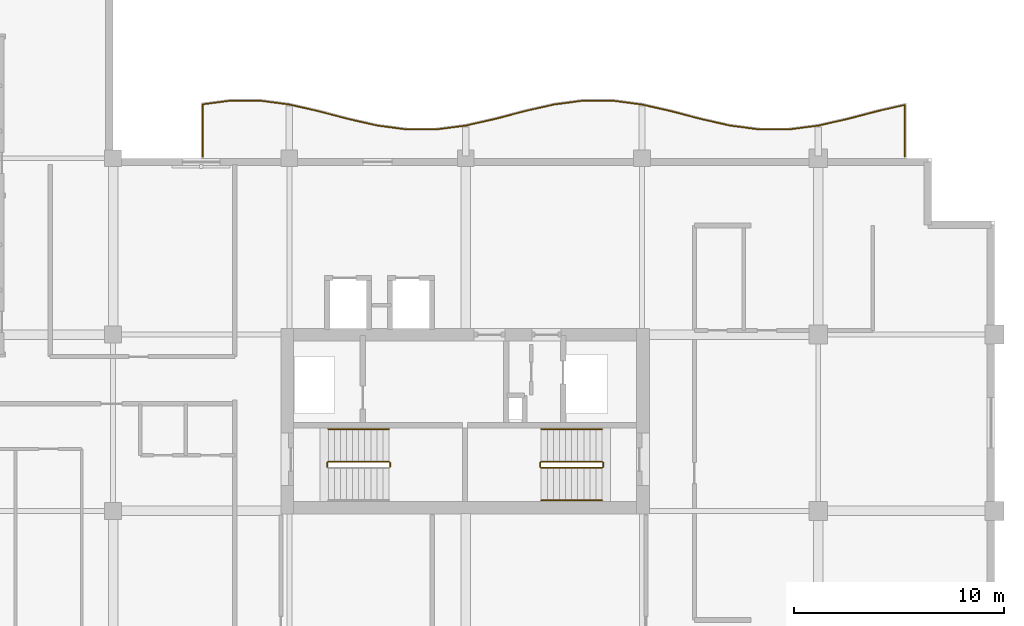
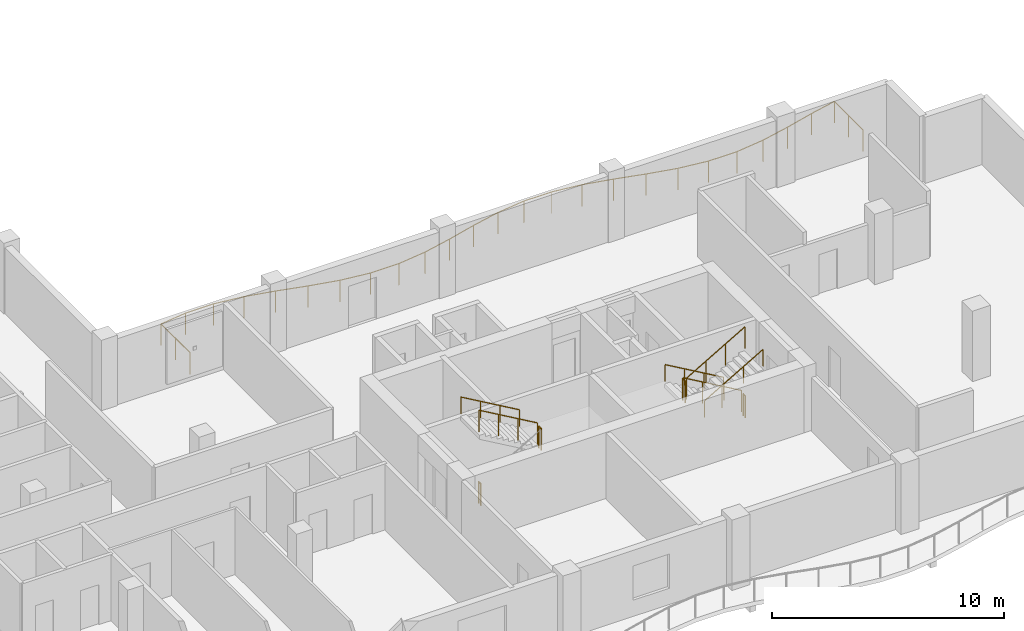
# One storey, part 11 of 12: 11 railings.
"""IFC4 building model written with IfcOpenShell, lengths in metres."""

from ifc_helpers import new_model, si_unit, direction, frame, origin, origin_2d, place, context, subcontext, project, spatial, circle, extrude, material, type_object, element, save


model = new_model("IFC4")

# Units and contexts
model_context = context("Model", 3, precision=1e-05, world=origin(), true_north=direction((0.0, 1.0)))
body_context = subcontext(model_context, "Body", "Model", "MODEL_VIEW")
ifc_project = project(units=[si_unit("LENGTHUNIT", "METRE"), si_unit("AREAUNIT", "SQUARE_METRE"), si_unit("VOLUMEUNIT", "CUBIC_METRE"), si_unit("PLANEANGLEUNIT", "RADIAN"), si_unit("MASSUNIT", "GRAM", prefix="KILO")], contexts=[model_context])

# Site, building, storey
site_placement = place(None, origin())
site = spatial("IfcSite", under=ifc_project, at=site_placement, CompositionType="ELEMENT")
building_placement = place(site_placement, origin())
building = spatial("IfcBuilding", under=site, at=building_placement, Name="Koriwani Terraces Tower", CompositionType="ELEMENT")
storey_placement = place(building_placement, frame((0.0, 0.0, 256.39990234375)))
storey = spatial("IfcBuildingStorey", under=building, at=storey_placement, Name="L63", CompositionType="ELEMENT", Elevation=256.39990234375)

# Railings
ifc_material = material(Name="Steel ASTM A572 Grade 50", Category="steel")
railing_type_1 = type_object("IfcRailingType", Name="GUARD_BALUSTRADE_1150", PredefinedType="BALUSTRADE", material=ifc_material)
railing_1_placement = place(storey_placement, frame((71.320068359375, 33.679931640625, 0.0)))
element("IfcRailing", 1, at=railing_1_placement, inside=storey, type_object=railing_type_1, Name="L63 Balcony Perimeter Safety Balustrade (NE)", PredefinedType="BALUSTRADE", context=body_context, shape_type="SweptSolid", body=[
    extrude(circle(Radius=0.02392578125, at=origin_2d()), frame((0.0, 0.0, 1.1259765625), z_axis=(0.0, 1.0, 0.0), x_axis=(-1.0, 0.0, 0.0)), (0.0, 0.0, 1.0), 2.4619140625),
    extrude(circle(Radius=0.02392578125, at=origin_2d()), frame((0.0, 2.4619140625, 1.1259765625), z_axis=(-0.97513824805, -0.221597376316, 0.0), x_axis=(0.221597376316, -0.97513824805, 0.0)), (0.0, 0.0, 1.0), 1.334228515625),
    extrude(circle(Radius=0.02392578125, at=origin_2d()), frame((-1.301025390625, 2.166259765625, 1.1259765625), z_axis=(-0.967207664387, -0.253986877518, 0.0), x_axis=(0.253986877518, -0.967207664387, 0.0)), (0.0, 0.0, 1.0), 1.447509765625),
    extrude(circle(Radius=0.02392578125, at=origin_2d()), frame((-2.701171875, 1.798583984375, 1.1259765625), z_axis=(-0.975122866469, -0.221665052023, 0.0), x_axis=(0.221665052023, -0.975122866469, 0.0)), (0.0, 0.0, 1.0), 1.440673828125),
    extrude(circle(Radius=0.02392578125, at=origin_2d()), frame((-4.10595703125, 1.479248046875, 1.1259765625), z_axis=(-0.991528403605, -0.12989004906, 0.0), x_axis=(0.12989004906, -0.991528403605, 0.0)), (0.0, 0.0, 1.0), 1.4208984375),
    extrude(circle(Radius=0.02392578125, at=origin_2d()), frame((-5.514892578125, 1.294677734375, 1.1259765625), z_axis=(-1.0, 0.0, 0.0), x_axis=(0.0, -1.0, 0.0)), (0.0, 0.0, 1.0), 1.410400390625),
    extrude(circle(Radius=0.02392578125, at=origin_2d()), frame((-6.92529296875, 1.294677734375, 1.1259765625), z_axis=(-0.991528403605, 0.12989004906, 0.0), x_axis=(-0.12989004906, -0.991528403605, 0.0)), (0.0, 0.0, 1.0), 1.4208984375),
    extrude(circle(Radius=0.02392578125, at=origin_2d()), frame((-8.334228515625, 1.479248046875, 1.1259765625), z_axis=(-0.975122866469, 0.221665052023, 0.0), x_axis=(-0.221665052023, -0.975122866469, 0.0)), (0.0, 0.0, 1.0), 1.440673828125),
    extrude(circle(Radius=0.02392578125, at=origin_2d()), frame((-9.739013671875, 1.798583984375, 1.1259765625), z_axis=(-0.967207664387, 0.253986877518, 0.0), x_axis=(-0.253986877518, -0.967207664387, 0.0)), (0.0, 0.0, 1.0), 1.447509765625),
    extrude(circle(Radius=0.02392578125, at=origin_2d()), frame((-11.13916015625, 2.166259765625, 1.1259765625), z_axis=(-0.975156320387, 0.221517834068, 0.0), x_axis=(-0.221517834068, -0.975156320387, 0.0)), (0.0, 0.0, 1.0), 1.4306640625),
    extrude(circle(Radius=0.02392578125, at=origin_2d()), frame((-12.5341796875, 2.483154296875, 1.1259765625), z_axis=(-0.991493340479, 0.130157426935, 0.0), x_axis=(-0.130157426935, -0.991493340479, 0.0)), (0.0, 0.0, 1.0), 1.403076171875),
    extrude(circle(Radius=0.02392578125, at=origin_2d()), frame((-13.92529296875, 2.665771484375, 1.1259765625), z_axis=(-1.0, 0.0, 0.0), x_axis=(0.0, -1.0, 0.0)), (0.0, 0.0, 1.0), 1.3896484375),
    extrude(circle(Radius=0.02392578125, at=origin_2d()), frame((-15.31494140625, 2.665771484375, 1.1259765625), z_axis=(-0.991493340479, -0.130157426935, 0.0), x_axis=(0.130157426935, -0.991493340479, 0.0)), (0.0, 0.0, 1.0), 1.403076171875),
    extrude(circle(Radius=0.02392578125, at=origin_2d()), frame((-16.7060546875, 2.483154296875, 1.1259765625), z_axis=(-0.975156320387, -0.221517834068, 0.0), x_axis=(0.221517834068, -0.975156320387, 0.0)), (0.0, 0.0, 1.0), 1.4306640625),
    extrude(circle(Radius=0.02392578125, at=origin_2d()), frame((-18.10107421875, 2.166259765625, 1.1259765625), z_axis=(-0.967196782226, -0.254028314271, 0.0), x_axis=(0.254028314271, -0.967196782226, 0.0)), (0.0, 0.0, 1.0), 1.447265625),
    extrude(circle(Radius=0.02392578125, at=origin_2d()), frame((-19.5009765625, 1.798583984375, 1.1259765625), z_axis=(-0.975131191317, -0.221628427149, 0.0), x_axis=(0.221628427149, -0.975131191317, 0.0)), (0.0, 0.0, 1.0), 1.44091796875),
    extrude(circle(Radius=0.02392578125, at=origin_2d()), frame((-20.906005859375, 1.479248046875, 1.1259765625), z_axis=(-0.991528403605, -0.12989004906, 0.0), x_axis=(0.12989004906, -0.991528403605, 0.0)), (0.0, 0.0, 1.0), 1.4208984375),
    extrude(circle(Radius=0.02392578125, at=origin_2d()), frame((-22.31494140625, 1.294677734375, 1.1259765625), z_axis=(-1.0, 0.0, 0.0), x_axis=(0.0, -1.0, 0.0)), (0.0, 0.0, 1.0), 1.410400390625),
    extrude(circle(Radius=0.02392578125, at=origin_2d()), frame((-23.725341796875, 1.294677734375, 1.1259765625), z_axis=(-0.991528403605, 0.12989004906, 0.0), x_axis=(-0.12989004906, -0.991528403605, 0.0)), (0.0, 0.0, 1.0), 1.4208984375),
    extrude(circle(Radius=0.02392578125, at=origin_2d()), frame((-25.13427734375, 1.479248046875, 1.1259765625), z_axis=(-0.975122866469, 0.221665052023, 0.0), x_axis=(-0.221665052023, -0.975122866469, 0.0)), (0.0, 0.0, 1.0), 1.440673828125),
    extrude(circle(Radius=0.02392578125, at=origin_2d()), frame((-26.5390625, 1.798583984375, 1.1259765625), z_axis=(-0.967196782226, 0.254028314271, 0.0), x_axis=(-0.254028314271, -0.967196782226, 0.0)), (0.0, 0.0, 1.0), 1.447265625),
    extrude(circle(Radius=0.02392578125, at=origin_2d()), frame((-27.93896484375, 2.166259765625, 1.1259765625), z_axis=(-0.975164692652, 0.221480974814, 0.0), x_axis=(-0.221480974814, -0.975164692652, 0.0)), (0.0, 0.0, 1.0), 1.430908203125),
    extrude(circle(Radius=0.02392578125, at=origin_2d()), frame((-29.334228515625, 2.483154296875, 1.1259765625), z_axis=(-0.991493340479, 0.130157426935, 0.0), x_axis=(-0.130157426935, -0.991493340479, 0.0)), (0.0, 0.0, 1.0), 1.403076171875),
    extrude(circle(Radius=0.02392578125, at=origin_2d()), frame((-30.725341796875, 2.665771484375, 1.1259765625), z_axis=(-1.0, 0.0, 0.0), x_axis=(0.0, -1.0, 0.0)), (0.0, 0.0, 1.0), 1.3896484375),
    extrude(circle(Radius=0.02392578125, at=origin_2d()), frame((-32.114990234375, 2.665771484375, 1.1259765625), z_axis=(-0.991506441664, -0.130057587779, 0.0), x_axis=(0.130057587779, -0.991506441664, 0.0)), (0.0, 0.0, 1.0), 1.33642578125),
    extrude(circle(Radius=0.02392578125, at=origin_2d()), frame((-33.440185546875, 2.491943359375, 1.1259765625), z_axis=(0.0, -1.0, 0.0), x_axis=(1.0, 0.0, 0.0)), (0.0, 0.0, 1.0), 2.491943359375),
    extrude(circle(Radius=0.02099609375, at=origin_2d()), origin(), (0.0, 0.0, 1.0), 1.101806640625),
    extrude(circle(Radius=0.02099609375, at=origin_2d()), frame((0.0, 1.23095703125, 0.0)), (0.0, 0.0, 1.0), 1.101806640625),
    extrude(circle(Radius=0.02099609375, at=origin_2d()), frame((0.0, 2.4619140625, 0.0)), (0.0, 0.0, 1.0), 1.101806640625),
    extrude(circle(Radius=0.02099609375, at=origin_2d()), frame((-1.301025390625, 2.166259765625, 0.0)), (0.0, 0.0, 1.0), 1.101806640625),
    extrude(circle(Radius=0.02099609375, at=origin_2d()), frame((-2.701171875, 1.798583984375, 0.0)), (0.0, 0.0, 1.0), 1.101806640625),
    extrude(circle(Radius=0.02099609375, at=origin_2d()), frame((-4.10595703125, 1.479248046875, 0.0)), (0.0, 0.0, 1.0), 1.101806640625),
    extrude(circle(Radius=0.02099609375, at=origin_2d()), frame((-5.514892578125, 1.294677734375, 0.0)), (0.0, 0.0, 1.0), 1.101806640625),
    extrude(circle(Radius=0.02099609375, at=origin_2d()), frame((-6.92529296875, 1.294677734375, 0.0)), (0.0, 0.0, 1.0), 1.101806640625),
    extrude(circle(Radius=0.02099609375, at=origin_2d()), frame((-8.334228515625, 1.479248046875, 0.0)), (0.0, 0.0, 1.0), 1.101806640625),
    extrude(circle(Radius=0.02099609375, at=origin_2d()), frame((-9.739013671875, 1.798583984375, 0.0)), (0.0, 0.0, 1.0), 1.101806640625),
    extrude(circle(Radius=0.02099609375, at=origin_2d()), frame((-11.13916015625, 2.166259765625, 0.0)), (0.0, 0.0, 1.0), 1.101806640625),
    extrude(circle(Radius=0.02099609375, at=origin_2d()), frame((-12.5341796875, 2.483154296875, 0.0)), (0.0, 0.0, 1.0), 1.101806640625),
    extrude(circle(Radius=0.02099609375, at=origin_2d()), frame((-13.92529296875, 2.665771484375, 0.0)), (0.0, 0.0, 1.0), 1.101806640625),
    extrude(circle(Radius=0.02099609375, at=origin_2d()), frame((-15.31494140625, 2.665771484375, 0.0)), (0.0, 0.0, 1.0), 1.101806640625),
    extrude(circle(Radius=0.02099609375, at=origin_2d()), frame((-16.7060546875, 2.483154296875, 0.0)), (0.0, 0.0, 1.0), 1.101806640625),
    extrude(circle(Radius=0.02099609375, at=origin_2d()), frame((-18.10107421875, 2.166259765625, 0.0)), (0.0, 0.0, 1.0), 1.101806640625),
    extrude(circle(Radius=0.02099609375, at=origin_2d()), frame((-19.5009765625, 1.798583984375, 0.0)), (0.0, 0.0, 1.0), 1.101806640625),
    extrude(circle(Radius=0.02099609375, at=origin_2d()), frame((-20.906005859375, 1.479248046875, 0.0)), (0.0, 0.0, 1.0), 1.101806640625),
    extrude(circle(Radius=0.02099609375, at=origin_2d()), frame((-22.31494140625, 1.294677734375, 0.0)), (0.0, 0.0, 1.0), 1.101806640625),
    extrude(circle(Radius=0.02099609375, at=origin_2d()), frame((-23.725341796875, 1.294677734375, 0.0)), (0.0, 0.0, 1.0), 1.101806640625),
    extrude(circle(Radius=0.02099609375, at=origin_2d()), frame((-25.13427734375, 1.479248046875, 0.0)), (0.0, 0.0, 1.0), 1.101806640625),
    extrude(circle(Radius=0.02099609375, at=origin_2d()), frame((-26.5390625, 1.798583984375, 0.0)), (0.0, 0.0, 1.0), 1.101806640625),
    extrude(circle(Radius=0.02099609375, at=origin_2d()), frame((-27.93896484375, 2.166259765625, 0.0)), (0.0, 0.0, 1.0), 1.101806640625),
    extrude(circle(Radius=0.02099609375, at=origin_2d()), frame((-29.334228515625, 2.483154296875, 0.0)), (0.0, 0.0, 1.0), 1.101806640625),
    extrude(circle(Radius=0.02099609375, at=origin_2d()), frame((-30.725341796875, 2.665771484375, 0.0)), (0.0, 0.0, 1.0), 1.101806640625),
    extrude(circle(Radius=0.02099609375, at=origin_2d()), frame((-32.114990234375, 2.665771484375, 0.0)), (0.0, 0.0, 1.0), 1.101806640625),
    extrude(circle(Radius=0.02099609375, at=origin_2d()), frame((-33.440185546875, 2.491943359375, 0.0)), (0.0, 0.0, 1.0), 1.101806640625),
    extrude(circle(Radius=0.02099609375, at=origin_2d()), frame((-33.440185546875, 1.24609375, 0.0)), (0.0, 0.0, 1.0), 1.101806640625),
    extrude(circle(Radius=0.02099609375, at=origin_2d()), frame((-33.440185546875, 0.0, 0.0)), (0.0, 0.0, 1.0), 1.101806640625),
])
railing_type_2 = type_object("IfcRailingType", Name="GUARD_STAIR_WELL_1120", PredefinedType="GUARDRAIL", material=ifc_material)
railing_2_placement = place(storey_placement, frame((46.800048828125, 18.89990234375, 1.85009765625)))
element("IfcRailing", 2, at=railing_2_placement, inside=storey, type_object=railing_type_2, Name="L63 ST-E1 stair guard 2", PredefinedType="GUARDRAIL", context=body_context, shape_type="SweptSolid", body=[
    extrude(circle(Radius=0.02392578125, at=origin_2d()), frame((0.0, 0.0, 1.1259765625), z_axis=(0.0, 1.0, 0.0), x_axis=(-1.0, 0.0, 0.0)), (0.0, 0.0, 1.0), 0.2001953125),
    extrude(circle(Radius=0.02099609375, at=origin_2d()), origin(), (0.0, 0.0, 1.0), 1.101806640625),
    extrude(circle(Radius=0.02099609375, at=origin_2d()), frame((0.0, 0.2001953125, 0.0)), (0.0, 0.0, 1.0), 1.101806640625),
])
railing_3_placement = place(storey_placement, frame((46.75, 19.14990234375, 2.018310546875)))
element("IfcRailing", 3, at=railing_3_placement, inside=storey, type_object=railing_type_2, Name="L63 ST-E1 stair guard 3", PredefinedType="GUARDRAIL", context=body_context, shape_type="SweptSolid", body=[
    extrude(circle(Radius=0.02392578125, at=origin_2d()), frame((0.0, 0.0, 1.1259765625), z_axis=(-0.865038774852, 0.0, 0.501705010941), x_axis=(0.0, -1.0, 0.0)), (0.0, 0.0, 1.0), 3.352294921875),
    extrude(circle(Radius=0.02099609375, at=origin_2d()), origin(), (0.0, 0.0, 1.0), 1.101806640625),
    extrude(circle(Radius=0.02099609375, at=origin_2d()), frame((-0.966552734375, 0.0, 0.560546875)), (0.0, 0.0, 1.0), 1.101806640625),
    extrude(circle(Radius=0.02099609375, at=origin_2d()), frame((-1.933349609375, 0.0, 1.121337890625)), (0.0, 0.0, 1.0), 1.101806640625),
    extrude(circle(Radius=0.02099609375, at=origin_2d()), frame((-2.89990234375, 0.0, 1.681884765625)), (0.0, 0.0, 1.0), 1.101806640625),
])
railing_4_placement = place(storey_placement, frame((43.800048828125, 18.89990234375, 0.0)))
element("IfcRailing", 4, at=railing_4_placement, inside=storey, type_object=railing_type_2, Name="L63 ST-E1 stair guard 4", PredefinedType="GUARDRAIL", context=body_context, shape_type="SweptSolid", body=[
    extrude(circle(Radius=0.02392578125, at=origin_2d()), frame((0.0, 0.0, 1.1259765625), z_axis=(0.0, 1.0, 0.0), x_axis=(-1.0, 0.0, 0.0)), (0.0, 0.0, 1.0), 0.2001953125),
    extrude(circle(Radius=0.02099609375, at=origin_2d()), origin(), (0.0, 0.0, 1.0), 1.101806640625),
    extrude(circle(Radius=0.02099609375, at=origin_2d()), frame((0.0, 0.2001953125, 0.0)), (0.0, 0.0, 1.0), 1.101806640625),
])
railing_5_placement = place(storey_placement, frame((56.89990234375, 19.14990234375, 0.168212890625)))
element("IfcRailing", 5, at=railing_5_placement, inside=storey, type_object=railing_type_2, Name="L63 ST-E2 stair guard 1", PredefinedType="GUARDRAIL", context=body_context, shape_type="SweptSolid", body=[
    extrude(circle(Radius=0.02392578125, at=origin_2d()), frame((0.0, 0.0, 1.1259765625), z_axis=(-0.865038774852, 0.0, 0.501705010941), x_axis=(0.0, -1.0, 0.0)), (0.0, 0.0, 1.0), 3.352294921875),
    extrude(circle(Radius=0.02099609375, at=origin_2d()), origin(), (0.0, 0.0, 1.0), 1.101806640625),
    extrude(circle(Radius=0.02099609375, at=origin_2d()), frame((-0.966552734375, 0.0, 0.560546875)), (0.0, 0.0, 1.0), 1.101806640625),
    extrude(circle(Radius=0.02099609375, at=origin_2d()), frame((-1.933349609375, 0.0, 1.121337890625)), (0.0, 0.0, 1.0), 1.101806640625),
    extrude(circle(Radius=0.02099609375, at=origin_2d()), frame((-2.89990234375, 0.0, 1.681884765625)), (0.0, 0.0, 1.0), 1.101806640625),
])
railing_6_placement = place(storey_placement, frame((53.949951171875, 19.10009765625, 1.85009765625)))
element("IfcRailing", 6, at=railing_6_placement, inside=storey, type_object=railing_type_2, Name="L63 ST-E2 stair guard 2", PredefinedType="GUARDRAIL", context=body_context, shape_type="SweptSolid", body=[
    extrude(circle(Radius=0.02392578125, at=origin_2d()), frame((0.0, 0.0, 1.1259765625), z_axis=(0.0, -1.0, 0.0), x_axis=(1.0, 0.0, 0.0)), (0.0, 0.0, 1.0), 0.2001953125),
    extrude(circle(Radius=0.02099609375, at=origin_2d()), origin(), (0.0, 0.0, 1.0), 1.101806640625),
    extrude(circle(Radius=0.02099609375, at=origin_2d()), frame((0.0, -0.2001953125, 0.0)), (0.0, 0.0, 1.0), 1.101806640625),
])
railing_7_placement = place(storey_placement, frame((54.0, 18.85009765625, 2.018310546875)))
element("IfcRailing", 7, at=railing_7_placement, inside=storey, type_object=railing_type_2, Name="L63 ST-E2 stair guard 3", PredefinedType="GUARDRAIL", context=body_context, shape_type="SweptSolid", body=[
    extrude(circle(Radius=0.02392578125, at=origin_2d()), frame((0.0, 0.0, 1.1259765625), z_axis=(0.865038774852, 0.0, 0.501705010941), x_axis=(0.0, 1.0, 0.0)), (0.0, 0.0, 1.0), 3.352294921875),
    extrude(circle(Radius=0.02099609375, at=origin_2d()), origin(), (0.0, 0.0, 1.0), 1.101806640625),
    extrude(circle(Radius=0.02099609375, at=origin_2d()), frame((0.966552734375, 0.0, 0.560546875)), (0.0, 0.0, 1.0), 1.101806640625),
    extrude(circle(Radius=0.02099609375, at=origin_2d()), frame((1.933349609375, 0.0, 1.121337890625)), (0.0, 0.0, 1.0), 1.101806640625),
    extrude(circle(Radius=0.02099609375, at=origin_2d()), frame((2.89990234375, 0.0, 1.681884765625)), (0.0, 0.0, 1.0), 1.101806640625),
])
railing_8_placement = place(storey_placement, frame((56.949951171875, 19.10009765625, 0.0)))
element("IfcRailing", 8, at=railing_8_placement, inside=storey, type_object=railing_type_2, Name="L63 ST-E2 stair guard 4", PredefinedType="GUARDRAIL", context=body_context, shape_type="SweptSolid", body=[
    extrude(circle(Radius=0.02392578125, at=origin_2d()), frame((0.0, 0.0, 1.1259765625), z_axis=(0.0, -1.0, 0.0), x_axis=(1.0, 0.0, 0.0)), (0.0, 0.0, 1.0), 0.2001953125),
    extrude(circle(Radius=0.02099609375, at=origin_2d()), origin(), (0.0, 0.0, 1.0), 1.101806640625),
    extrude(circle(Radius=0.02099609375, at=origin_2d()), frame((0.0, -0.2001953125, 0.0)), (0.0, 0.0, 1.0), 1.101806640625),
])
railing_type_3 = type_object("IfcRailingType", Name="HANDRAIL_STAIR_920", PredefinedType="HANDRAIL", material=ifc_material)
for number, where, name in (
    (9, (46.75, 20.699951171875, 2.018310546875), "L63 ST-E1 stair handrail 2"),
    (10, (56.89990234375, 20.699951171875, 0.168212890625), "L63 ST-E2 stair handrail 1"),
):
    element("IfcRailing", number, at=place(storey_placement, frame(where)), inside=storey, type_object=railing_type_3, Name=name, PredefinedType="HANDRAIL", context=body_context, shape_type="SweptSolid", body=[
        extrude(circle(Radius=0.02392578125, at=origin_2d()), frame((0.0, 0.0, 0.8759765625), z_axis=(-0.865038774852, 0.0, 0.501705010941), x_axis=(0.0, -1.0, 0.0)), (0.0, 0.0, 1.0), 3.352294921875),
        extrude(circle(Radius=0.02099609375, at=origin_2d()), origin(), (0.0, 0.0, 1.0), 0.851806640625),
        extrude(circle(Radius=0.02099609375, at=origin_2d()), frame((-0.966552734375, 0.0, 0.560546875)), (0.0, 0.0, 1.0), 0.851806640625),
        extrude(circle(Radius=0.02099609375, at=origin_2d()), frame((-1.933349609375, 0.0, 1.121337890625)), (0.0, 0.0, 1.0), 0.851806640625),
        extrude(circle(Radius=0.02099609375, at=origin_2d()), frame((-2.89990234375, 0.0, 1.681884765625)), (0.0, 0.0, 1.0), 0.851806640625),
    ])
railing_9_placement = place(storey_placement, frame((54.0, 17.300048828125, 2.018310546875)))
element("IfcRailing", 11, at=railing_9_placement, inside=storey, type_object=railing_type_3, Name="L63 ST-E2 stair handrail 2", PredefinedType="HANDRAIL", context=body_context, shape_type="SweptSolid", body=[
    extrude(circle(Radius=0.02392578125, at=origin_2d()), frame((0.0, 0.0, 0.8759765625), z_axis=(0.865038774852, 0.0, 0.501705010941), x_axis=(0.0, 1.0, 0.0)), (0.0, 0.0, 1.0), 3.352294921875),
    extrude(circle(Radius=0.02099609375, at=origin_2d()), origin(), (0.0, 0.0, 1.0), 0.851806640625),
    extrude(circle(Radius=0.02099609375, at=origin_2d()), frame((0.966552734375, 0.0, 0.560546875)), (0.0, 0.0, 1.0), 0.851806640625),
    extrude(circle(Radius=0.02099609375, at=origin_2d()), frame((1.933349609375, 0.0, 1.121337890625)), (0.0, 0.0, 1.0), 0.851806640625),
    extrude(circle(Radius=0.02099609375, at=origin_2d()), frame((2.89990234375, 0.0, 1.681884765625)), (0.0, 0.0, 1.0), 0.851806640625),
])

save(model, "model.ifc")
